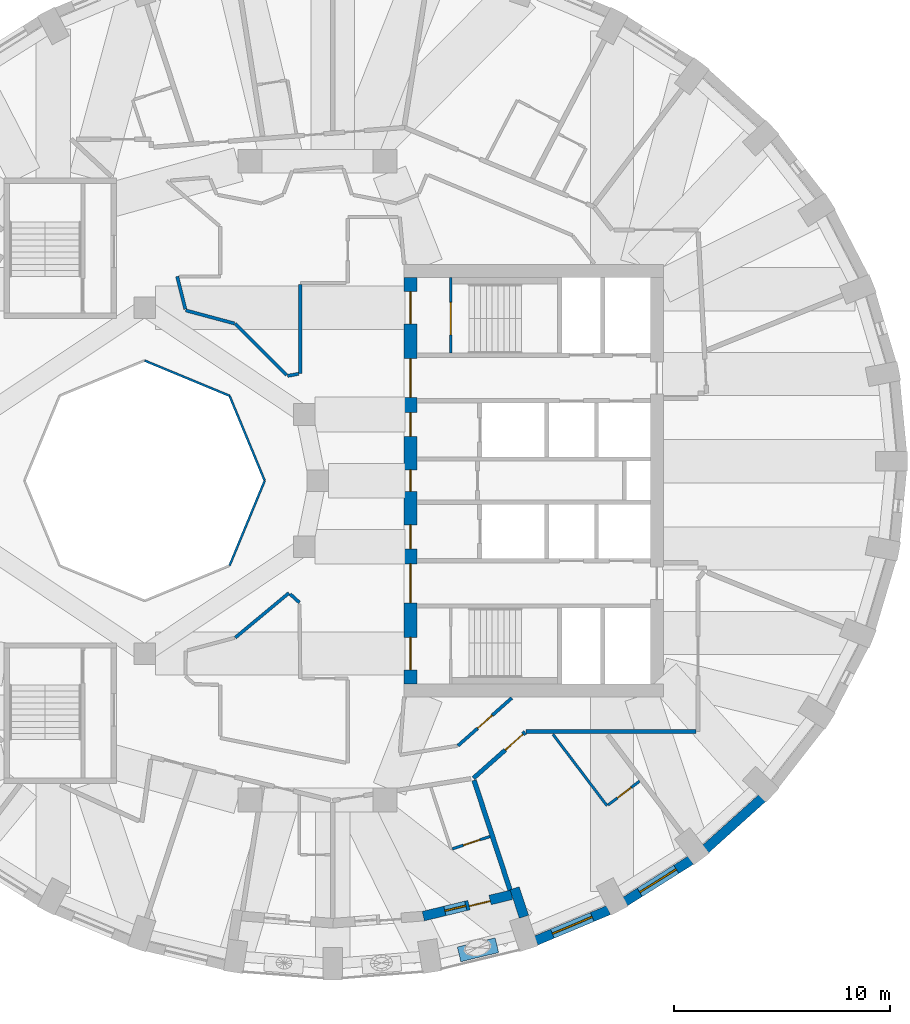
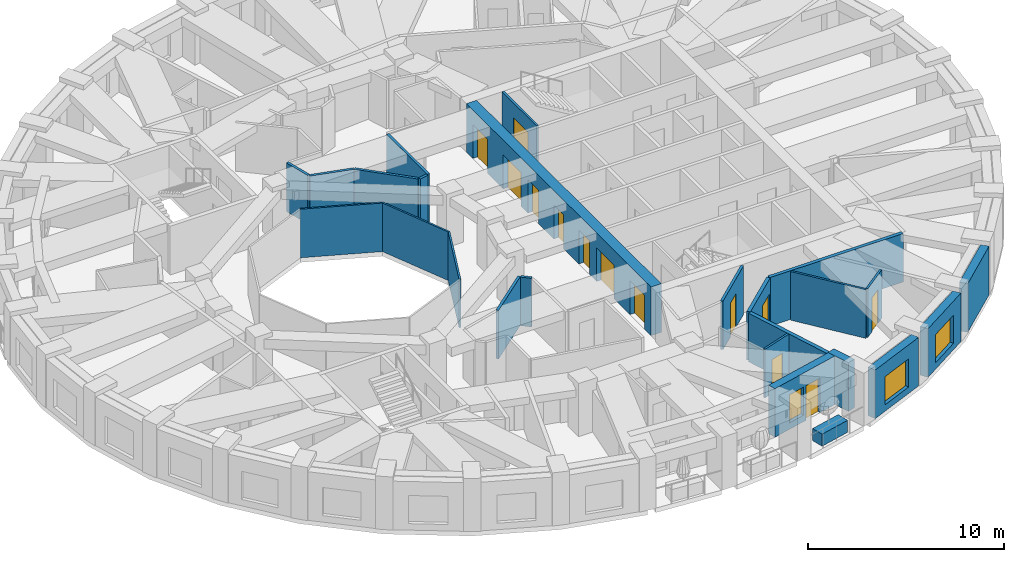
# One storey, part 5 of 12: 25 walls, 13 doors, 3 windows, 16 openings.
"""IFC4 building model written with IfcOpenShell, lengths in metres."""

from ifc_helpers import new_model, si_unit, direction, frame, frame_2d, origin, place, context, subcontext, project, spatial, rectangle, extrude, material, layer, layer_set, constituent, constituent_set, type_object, element, fill, save


model = new_model("IFC4")

# Units and contexts
model_context = context("Model", 3, precision=1e-05, world=origin(), true_north=direction((0.0, 1.0)))
body_context = subcontext(model_context, "Body", "Model", "MODEL_VIEW")
ifc_project = project(units=[si_unit("LENGTHUNIT", "METRE"), si_unit("AREAUNIT", "SQUARE_METRE"), si_unit("VOLUMEUNIT", "CUBIC_METRE"), si_unit("PLANEANGLEUNIT", "RADIAN"), si_unit("MASSUNIT", "GRAM", prefix="KILO")], contexts=[model_context])

# Site, building, storey
site_placement = place(None, origin())
site = spatial("IfcSite", under=ifc_project, at=site_placement, CompositionType="ELEMENT")
building_placement = place(site_placement, origin())
building = spatial("IfcBuilding", under=site, at=building_placement, Name="Taillehof Tower", CompositionType="ELEMENT")
storey_placement = place(building_placement, frame((0.0, 0.0, 199.10009765625)))
storey = spatial("IfcBuildingStorey", under=building, at=storey_placement, Name="L56", CompositionType="ELEMENT", Elevation=199.10009765625)

# Walls
ifc_material_1 = material(Name="Fire-resisting glass in steel frame", Category="steel")
ifc_layer_1 = layer(ifc_material_1, 0.10009765625)
ifc_layer_set_1 = layer_set([ifc_layer_1], Name="Atrium fire-resisting screen EI 60 100")
wall_type_1 = type_object("IfcWallType", Name="Atrium fire-resisting screen EI 60 100", PredefinedType="PARTITIONING", material=ifc_layer_set_1)
for number, where, z_axis, x_axis, name in (
    (1, (-2.44580078125, 0.0, 0.0), (0.0, 0.0, 1.0), (-0.382730523909, -0.923860025149, 0.0), "Atrium screen"),
    (2, (-8.0, 5.55419921875, 0.0), (0.0, 0.0, 1.0), (0.923860025149, -0.382730523909, 0.0), "Atrium screen"),
    (3, (-4.07275390625, 3.92724609375, 0.0), (0.0, 0.0, 1.0), (0.382730523909, -0.923860025149, 0.0), "Atrium screen"),
):
    element("IfcWall", number, at=place(storey_placement, frame(where, z_axis=z_axis, x_axis=x_axis)), inside=storey, type_object=wall_type_1, Name=name, PredefinedType="PARTITIONING", context=body_context, shape_type="SweptSolid", body=[
        extrude(rectangle(XDim=4.2509765625, YDim=0.10009765625, at=frame_2d((2.12548828125, 0.0))), origin(), (0.0, 0.0, 1.0), 3.02001953125),
    ])

# Wall, opening, window
ifc_material_2 = material(Name="Brick masonry", Category="masonry")
ifc_layer_2 = layer(ifc_material_2, 0.449951171875)
ifc_layer_set_2 = layer_set([ifc_layer_2], Name="Brick infill wall 450")
wall_type_2 = type_object("IfcWallType", Name="Brick infill wall 450", PredefinedType="SOLIDWALL", material=ifc_layer_set_2)
wall_1_placement = place(storey_placement, frame((10.1025390625, -21.279052734375, 0.0), z_axis=(0.0, 0.0, 1.0), x_axis=(0.922168222612, 0.386789050006, 0.0)))
wall_1 = element("IfcWall", 4, at=wall_1_placement, inside=storey, type_object=wall_type_2, Name="Brick wall L56 bay 30", PredefinedType="SOLIDWALL", context=body_context, shape_type="SweptSolid", body=[
    extrude(rectangle(XDim=3.65087890625, YDim=0.449951171875, at=frame_2d((1.825439453125, 0.0))), origin(), (0.0, 0.0, 1.0), 3.02001953125),
])
opening_1_placement = place(wall_1_placement, frame((0.825439453125, 0.0, 0.39990234375)))
opening_1 = element("IfcOpeningElement", 5, at=opening_1_placement, cuts=wall_1, Name="Opening W2", PredefinedType="OPENING", context=body_context, shape_type="SweptSolid", body=[
    extrude(rectangle(XDim=2.0, YDim=1.75, at=frame_2d((1.0, 0.875))), frame((0.0, 0.23486328125, 0.0), z_axis=(0.0, -1.0, 0.0), x_axis=(1.0, 0.0, 0.0)), (0.0, 0.0, 1.0), 0.469970703125),
])
ifc_material_3 = material(Name="Aluminium window frame with clear double glazing", Category="aluminium")
window_type_1 = type_object("IfcWindowType", Name="Deep-set window 2000x1750", PartitioningType="SINGLE_PANEL", PredefinedType="WINDOW", material=ifc_material_3)
window_1_placement = place(opening_1_placement, origin())
window_1 = element("IfcWindow", 6, at=window_1_placement, inside=storey, type_object=window_type_1, Name="W2", OverallHeight=1.75, OverallWidth=2.0, PartitioningType="SINGLE_PANEL", PredefinedType="WINDOW", context=body_context, shape_type="SweptSolid", body=[
    extrude(rectangle(XDim=2.0, YDim=1.75, at=frame_2d((1.0, 0.875))), frame((0.0, 0.034912109375, 0.0), z_axis=(0.0, -1.0, 0.0), x_axis=(1.0, 0.0, 0.0)), (0.0, 0.0, 1.0), 0.06005859375),
])
fill(opening_1, window_1)

wall_2_placement = place(storey_placement, frame((14.232421875, -19.469970703125, 0.0), z_axis=(0.0, 0.0, 1.0), x_axis=(0.84614984472, 0.532945063098, 0.0)))
wall_2 = element("IfcWall", 7, at=wall_2_placement, inside=storey, type_object=wall_type_2, Name="Brick wall L56 bay 31", PredefinedType="SOLIDWALL", context=body_context, shape_type="SweptSolid", body=[
    extrude(rectangle(XDim=3.58642578125, YDim=0.449951171875, at=frame_2d((1.793212890625, 0.0))), origin(), (0.0, 0.0, 1.0), 3.02001953125),
])
opening_2_placement = place(wall_2_placement, frame((0.79345703125, 0.0, 0.39990234375)))
opening_2 = element("IfcOpeningElement", 8, at=opening_2_placement, cuts=wall_2, Name="Opening W2", PredefinedType="OPENING", context=body_context, shape_type="SweptSolid", body=[
    extrude(rectangle(XDim=2.0, YDim=1.75, at=frame_2d((1.0, 0.875))), frame((0.0, 0.23486328125, 0.0), z_axis=(0.0, -1.0, 0.0), x_axis=(1.0, 0.0, 0.0)), (0.0, 0.0, 1.0), 0.469970703125),
])
window_2_placement = place(opening_2_placement, origin())
window_2 = element("IfcWindow", 9, at=window_2_placement, inside=storey, type_object=window_type_1, Name="W2", OverallHeight=1.75, OverallWidth=2.0, PartitioningType="SINGLE_PANEL", PredefinedType="WINDOW", context=body_context, shape_type="SweptSolid", body=[
    extrude(rectangle(XDim=2.0, YDim=1.75, at=frame_2d((1.0, 0.875))), frame((0.0, 0.034912109375, 0.0), z_axis=(0.0, -1.0, 0.0), x_axis=(1.0, 0.0, 0.0)), (0.0, 0.0, 1.0), 0.06005859375),
])
fill(opening_2, window_2)

# Walls
wall_3_placement = place(storey_placement, frame((17.953369140625, -17.039794921875, 0.0), z_axis=(0.0, 0.0, 1.0), x_axis=(0.743442727602, 0.668799604348, 0.0)))
element("IfcWall", 10, at=wall_3_placement, inside=storey, type_object=wall_type_2, Name="Brick wall L56 bay 32", PredefinedType="SOLIDWALL", context=body_context, shape_type="SweptSolid", body=[
    extrude(rectangle(XDim=3.5126953125, YDim=0.449951171875, at=frame_2d((1.75634765625, 0.0))), origin(), (0.0, 0.0, 1.0), 3.02001953125),
])
wall_4_placement = place(storey_placement, frame((9.5498046875, -20.1767578125, 0.0), z_axis=(0.0, 0.0, 1.0), x_axis=(-0.31201065878, 0.950078601384, 0.0)))
element("IfcWall", 11, at=wall_4_placement, inside=storey, type_object=wall_type_2, Name="Brick reveal L56 pocket 8", PredefinedType="SOLIDWALL", context=body_context, shape_type="SweptSolid", body=[
    extrude(rectangle(XDim=1.390380859375, YDim=0.449951171875, at=frame_2d((0.6953125, 0.0))), origin(), (0.0, 0.0, 1.0), 3.02001953125),
])

# Wall, openings, door, window
wall_5_placement = place(storey_placement, frame((4.88916015625, -20.146484375, 0.0), z_axis=(0.0, 0.0, 1.0), x_axis=(0.972004107579, 0.234963858602, 0.0)))
wall_5 = element("IfcWall", 12, at=wall_5_placement, inside=storey, type_object=wall_type_2, Name="Brick wall L56 pocket bay 29", PredefinedType="SOLIDWALL", context=body_context, shape_type="SweptSolid", body=[
    extrude(rectangle(XDim=4.20703125, YDim=0.449951171875, at=frame_2d((2.103515625, 0.0))), origin(), (0.0, 0.0, 1.0), 3.02001953125),
])
opening_3_placement = place(wall_5_placement, frame((1.028564453125, 0.0, 0.39990234375)))
opening_3 = element("IfcOpeningElement", 13, at=opening_3_placement, cuts=wall_5, Name="Opening W5", PredefinedType="OPENING", context=body_context, shape_type="SweptSolid", body=[
    extrude(rectangle(XDim=1.0, YDim=1.75, at=frame_2d((0.5, 0.875))), frame((0.0, 0.23486328125, 0.0), z_axis=(0.0, -1.0, 0.0), x_axis=(1.0, 0.0, 0.0)), (0.0, 0.0, 1.0), 0.469970703125),
])
opening_4_placement = place(wall_5_placement, frame((2.1787109375, 0.0, 0.0)))
opening_4 = element("IfcOpeningElement", 14, at=opening_4_placement, cuts=wall_5, Name="Opening D5696", PredefinedType="OPENING", context=body_context, shape_type="SweptSolid", body=[
    extrude(rectangle(XDim=1.0, YDim=2.14990234375, at=frame_2d((0.5, 1.074951171875))), frame((0.0, 0.23486328125, 0.0), z_axis=(0.0, -1.0, 0.0), x_axis=(1.0, 0.0, 0.0)), (0.0, 0.0, 1.0), 0.469970703125),
])
ifc_material_4 = material(Name="Aluminium door frame with clear double glazing", Category="aluminium")
door_type_1 = type_object("IfcDoorType", Name="Balcony door 1000x2150", OperationType="SINGLE_SWING_RIGHT", PredefinedType="DOOR", material=ifc_material_4)
door_1_placement = place(opening_4_placement, frame((1.0, 0.0, 0.0), z_axis=(0.0, 0.0, 1.0), x_axis=(-1.0, 0.0, 0.0)))
door_1 = element("IfcDoor", 15, at=door_1_placement, inside=storey, type_object=door_type_1, Name="Balcony door L56 bay 29", OperationType="SINGLE_SWING_LEFT", OverallHeight=2.14990234375, OverallWidth=1.0, PredefinedType="DOOR", context=body_context, shape_type="SweptSolid", body=[
    extrude(rectangle(XDim=1.0, YDim=2.14990234375, at=frame_2d((0.5, 1.074951171875))), frame((0.0, 0.0751953125, 0.0), z_axis=(0.0, -1.0, 0.0), x_axis=(1.0, 0.0, 0.0)), (0.0, 0.0, 1.0), 0.050048828125),
])
fill(opening_4, door_1)
ifc_material_5 = material(Name="Aluminium window frame with clear double glazing", Category="aluminium")
window_type_2 = type_object("IfcWindowType", Name="Fixed window 1000x1750", PartitioningType="SINGLE_PANEL", PredefinedType="WINDOW", material=ifc_material_5)
window_3_placement = place(opening_3_placement, origin())
window_3 = element("IfcWindow", 16, at=window_3_placement, inside=storey, type_object=window_type_2, Name="W5", OverallHeight=1.75, OverallWidth=1.0, PartitioningType="SINGLE_PANEL", PredefinedType="WINDOW", context=body_context, shape_type="SweptSolid", body=[
    extrude(rectangle(XDim=1.0, YDim=1.75, at=frame_2d((0.5, 0.875))), frame((0.0, 0.034912109375, 0.0), z_axis=(0.0, -1.0, 0.0), x_axis=(1.0, 0.0, 0.0)), (0.0, 0.0, 1.0), 0.06005859375),
])
fill(opening_3, window_3)

# Wall
ifc_material_6 = material(Name="Gypsum board on steel studs, two layers each side", Category="steel")
ifc_layer_3 = layer(ifc_material_6, 0.199951171875)
ifc_layer_set_3 = layer_set([ifc_layer_3], Name="Compartment wall corridor 200")
wall_type_3 = type_object("IfcWallType", Name="Compartment wall corridor 200", PredefinedType="PARTITIONING", material=ifc_layer_set_3)
wall_6_placement = place(storey_placement, frame((17.5, -11.60009765625, 0.0), z_axis=(0.0, 0.0, 1.0), x_axis=(-1.0, 0.0, 0.0)))
element("IfcWall", 17, at=wall_6_placement, inside=storey, type_object=wall_type_3, Name="Compartment wall", PredefinedType="PARTITIONING", context=body_context, shape_type="SweptSolid", body=[
    extrude(rectangle(XDim=7.846923828125, YDim=0.199951171875, at=frame_2d((3.92333984375, 0.0))), origin(), (0.0, 0.0, 1.0), 3.02001953125),
])

# Wall, opening, door
wall_7_placement = place(storey_placement, frame((9.6083984375, -11.6396484375, 0.0), z_axis=(0.0, 0.0, 1.0), x_axis=(-0.748412200225, -0.663233879227, 0.0)))
wall_7 = element("IfcWall", 18, at=wall_7_placement, inside=storey, type_object=wall_type_3, Name="Compartment wall", PredefinedType="PARTITIONING", context=body_context, shape_type="SweptSolid", body=[
    extrude(rectangle(XDim=3.207275390625, YDim=0.199951171875, at=frame_2d((1.603515625, 0.0))), origin(), (0.0, 0.0, 1.0), 3.02001953125),
])
opening_5_placement = place(wall_7_placement, frame((0.139892578125, 0.0, 0.0)))
opening_5 = element("IfcOpeningElement", 19, at=opening_5_placement, cuts=wall_7, Name="Opening D5661", PredefinedType="OPENING", context=body_context, shape_type="SweptSolid", body=[
    extrude(rectangle(XDim=1.10009765625, YDim=2.10009765625, at=frame_2d((0.550048828125, 1.050048828125))), frame((0.0, 0.10986328125, 0.0), z_axis=(0.0, -1.0, 0.0), x_axis=(1.0, 0.0, 0.0)), (0.0, 0.0, 1.0), 0.219970703125),
])
ifc_material_7 = material(Name="Timber door leaf in steel frame", Category="steel")
door_type_2 = type_object("IfcDoorType", Name="Suite entrance door EI 30 1100 x 2100", OperationType="SINGLE_SWING_LEFT", PredefinedType="DOOR", material=ifc_material_7)
door_2_placement = place(opening_5_placement, origin())
door_2 = element("IfcDoor", 20, at=door_2_placement, inside=storey, type_object=door_type_2, Name="D5661", OperationType="SINGLE_SWING_LEFT", OverallHeight=2.10009765625, OverallWidth=1.10009765625, PredefinedType="DOOR", context=body_context, shape_type="SweptSolid", body=[
    extrude(rectangle(XDim=1.10009765625, YDim=2.10009765625, at=frame_2d((0.550048828125, 1.050048828125))), frame((0.0, 0.02490234375, 0.0), z_axis=(0.0, -1.0, 0.0), x_axis=(1.0, 0.0, 0.0)), (0.0, 0.0, 1.0), 0.050048828125),
])
fill(opening_5, door_2)

# Walls
ifc_material_8 = material(Name="Gypsum board on double steel studs with mineral wool", Category="steel")
ifc_layer_4 = layer(ifc_material_8, 0.219970703125)
ifc_layer_set_4 = layer_set([ifc_layer_4], Name="Compartment wall guest room 220")
wall_type_4 = type_object("IfcWallType", Name="Compartment wall guest room 220", PredefinedType="PARTITIONING", material=ifc_layer_set_4)
wall_8_placement = place(storey_placement, frame((8.907958984375, -18.943603515625, 0.0), z_axis=(0.0, 0.0, 1.0), x_axis=(-0.311910788491, 0.950111393481, 0.0)))
element("IfcWall", 21, at=wall_8_placement, inside=storey, type_object=wall_type_4, Name="Compartment wall", PredefinedType="PARTITIONING", context=body_context, shape_type="SweptSolid", body=[
    extrude(rectangle(XDim=5.348388671875, YDim=0.219970703125, at=frame_2d((2.67431640625, 0.0))), origin(), (0.0, 0.0, 1.0), 3.02001953125),
])
ifc_material_9 = material(Name="Gypsum board on steel studs, two layers each side", Category="steel")
ifc_layer_5 = layer(ifc_material_9, 0.14990234375)
ifc_layer_set_5 = layer_set([ifc_layer_5], Name="Compartment wall service room 150")
wall_type_5 = type_object("IfcWallType", Name="Compartment wall service room 150", PredefinedType="PARTITIONING", material=ifc_layer_set_5)
wall_9_placement = place(storey_placement, frame((-0.800048828125, 9.06982421875, 0.0), z_axis=(0.0, 0.0, 1.0), x_axis=(0.0, -1.0, 0.0)))
element("IfcWall", 22, at=wall_9_placement, inside=storey, type_object=wall_type_5, Name="Compartment wall", PredefinedType="PARTITIONING", context=body_context, shape_type="SweptSolid", body=[
    extrude(rectangle(XDim=4.1083984375, YDim=0.14990234375, at=frame_2d((2.05419921875, 0.0))), origin(), (0.0, 0.0, 1.0), 3.02001953125),
])
wall_10_placement = place(storey_placement, frame((-0.878173828125, 4.94580078125, 0.0), z_axis=(0.0, 0.0, 1.0), x_axis=(-0.981223514921, -0.192874087857, 0.0)))
element("IfcWall", 23, at=wall_10_placement, inside=storey, type_object=wall_type_5, Name="Compartment wall", PredefinedType="PARTITIONING", context=body_context, shape_type="SweptSolid", body=[
    extrude(rectangle(XDim=0.521484375, YDim=0.14990234375, at=frame_2d((0.2607421875, 0.0))), origin(), (0.0, 0.0, 1.0), 3.02001953125),
])
wall_11_placement = place(storey_placement, frame((-1.432373046875, 4.8876953125, 0.0), z_axis=(0.0, 0.0, 1.0), x_axis=(-0.70714312975, 0.707070430754, 0.0)))
element("IfcWall", 24, at=wall_11_placement, inside=storey, type_object=wall_type_5, Name="Compartment wall", PredefinedType="PARTITIONING", context=body_context, shape_type="SweptSolid", body=[
    extrude(rectangle(XDim=3.358154296875, YDim=0.14990234375, at=frame_2d((1.67919921875, 0.0))), origin(), (0.0, 0.0, 1.0), 3.02001953125),
])
wall_12_placement = place(storey_placement, frame((-3.845703125, 7.2724609375, 0.0), z_axis=(0.0, 0.0, 1.0), x_axis=(-0.965906023197, 0.258892939941, 0.0)))
element("IfcWall", 25, at=wall_12_placement, inside=storey, type_object=wall_type_5, Name="Compartment wall", PredefinedType="PARTITIONING", context=body_context, shape_type="SweptSolid", body=[
    extrude(rectangle(XDim=2.333984375, YDim=0.14990234375, at=frame_2d((1.1669921875, 0.0))), origin(), (0.0, 0.0, 1.0), 3.02001953125),
])
wall_13_placement = place(storey_placement, frame((-6.11474609375, 7.9345703125, 0.0), z_axis=(0.0, 0.0, 1.0), x_axis=(-0.242425292239, 0.970170076679, 0.0)))
element("IfcWall", 26, at=wall_13_placement, inside=storey, type_object=wall_type_5, Name="Compartment wall", PredefinedType="PARTITIONING", context=body_context, shape_type="SweptSolid", body=[
    extrude(rectangle(XDim=1.56201171875, YDim=0.14990234375, at=frame_2d((0.781005859375, 0.0))), origin(), (0.0, 0.0, 1.0), 3.02001953125),
])
wall_14_placement = place(storey_placement, frame((-3.80712890625, -7.26220703125, 0.0), z_axis=(0.0, 0.0, 1.0), x_axis=(0.768654933145, 0.639663656739, 0.0)))
element("IfcWall", 27, at=wall_14_placement, inside=storey, type_object=wall_type_5, Name="Compartment wall", PredefinedType="PARTITIONING", context=body_context, shape_type="SweptSolid", body=[
    extrude(rectangle(XDim=3.22900390625, YDim=0.14990234375, at=frame_2d((1.614501953125, 0.0))), origin(), (0.0, 0.0, 1.0), 3.02001953125),
])
wall_15_placement = place(storey_placement, frame((-1.265625, -5.25048828125, 0.0), z_axis=(0.0, 0.0, 1.0), x_axis=(0.740704364941, -0.671831112525, 0.0)))
element("IfcWall", 28, at=wall_15_placement, inside=storey, type_object=wall_type_5, Name="Compartment wall", PredefinedType="PARTITIONING", context=body_context, shape_type="SweptSolid", body=[
    extrude(rectangle(XDim=0.577880859375, YDim=0.14990234375, at=frame_2d((0.2890625, 0.0))), origin(), (0.0, 0.0, 1.0), 3.02001953125),
])

# Wall, opening, door
wall_16_placement = place(storey_placement, frame((8.98681640625, -10.052490234375, 0.0), z_axis=(0.0, 0.0, 1.0), x_axis=(-0.74833949077, -0.66331591761, 0.0)))
wall_16 = element("IfcWall", 29, at=wall_16_placement, inside=storey, type_object=wall_type_5, Name="Compartment wall", PredefinedType="PARTITIONING", context=body_context, shape_type="SweptSolid", body=[
    extrude(rectangle(XDim=3.328125, YDim=0.14990234375, at=frame_2d((1.6640625, 0.0))), origin(), (0.0, 0.0, 1.0), 3.02001953125),
])
opening_6_placement = place(wall_16_placement, frame((1.214111328125, 0.0, 0.0)))
opening_6 = element("IfcOpeningElement", 30, at=opening_6_placement, cuts=wall_16, Name="Opening D5668", PredefinedType="OPENING", context=body_context, shape_type="SweptSolid", body=[
    extrude(rectangle(XDim=0.89990234375, YDim=2.10009765625, at=frame_2d((0.449951171875, 1.050048828125))), frame((0.0, 0.0849609375, 0.0), z_axis=(0.0, -1.0, 0.0), x_axis=(1.0, 0.0, 0.0)), (0.0, 0.0, 1.0), 0.169921875),
])
ifc_material_10 = material(Name="Timber door leaf in steel frame", Category="steel")
door_type_3 = type_object("IfcDoorType", Name="Service room door EI 30 900 x 2100", OperationType="SINGLE_SWING_LEFT", PredefinedType="DOOR", material=ifc_material_10)
door_3_placement = place(opening_6_placement, origin())
door_3 = element("IfcDoor", 31, at=door_3_placement, inside=storey, type_object=door_type_3, Name="D5668", OperationType="SINGLE_SWING_LEFT", OverallHeight=2.10009765625, OverallWidth=0.89990234375, PredefinedType="DOOR", context=body_context, shape_type="SweptSolid", body=[
    extrude(rectangle(XDim=0.89990234375, YDim=2.10009765625, at=frame_2d((0.449951171875, 1.050048828125))), frame((0.0, 0.02490234375, 0.0), z_axis=(0.0, -1.0, 0.0), x_axis=(1.0, 0.0, 0.0)), (0.0, 0.0, 1.0), 0.050048828125),
])
fill(opening_6, door_3)

# Wall, openings, doors
ifc_material_11 = material(Name="Concrete C80/95", Category="concrete")
ifc_layer_6 = layer(ifc_material_11, 0.60009765625)
ifc_layer_set_6 = layer_set([ifc_layer_6], Name="Core wall C80/95 600")
wall_type_6 = type_object("IfcWallType", Name="Core wall C80/95 600", PredefinedType="SHEAR", material=ifc_layer_set_6)
wall_17_placement = place(storey_placement, frame((4.300048828125, -9.39990234375, 0.0), z_axis=(0.0, 0.0, 1.0), x_axis=(0.0, 1.0, 0.0)))
wall_17 = element("IfcWall", 32, at=wall_17_placement, inside=storey, type_object=wall_type_6, Name="Core wall CW01", PredefinedType="SHEAR", context=body_context, shape_type="SweptSolid", body=[
    extrude(rectangle(XDim=18.7998046875, YDim=0.60009765625, at=frame_2d((9.39990234375, 0.0))), origin(), (0.0, 0.0, 1.0), 3.02001953125),
])
opening_7_placement = place(wall_17_placement, frame((0.64990234375, 0.0, 0.0)))
opening_7 = element("IfcOpeningElement", 33, at=opening_7_placement, cuts=wall_17, Name="Opening D5601", PredefinedType="OPENING", context=body_context, shape_type="SweptSolid", body=[
    extrude(rectangle(XDim=1.5, YDim=2.10009765625, at=frame_2d((0.75, 1.050048828125))), frame((0.0, 0.31005859375, 0.0), z_axis=(0.0, -1.0, 0.0), x_axis=(1.0, 0.0, 0.0)), (0.0, 0.0, 1.0), 0.6201171875),
])
opening_8_placement = place(wall_17_placement, frame((3.75, 0.0, 0.0)))
opening_8 = element("IfcOpeningElement", 34, at=opening_8_placement, cuts=wall_17, Name="Opening D5602", PredefinedType="OPENING", context=body_context, shape_type="SweptSolid", body=[
    extrude(rectangle(XDim=1.800048828125, YDim=2.10009765625, at=frame_2d((0.89990234375, 1.050048828125))), frame((0.0, 0.31005859375, 0.0), z_axis=(0.0, -1.0, 0.0), x_axis=(1.0, 0.0, 0.0)), (0.0, 0.0, 1.0), 0.6201171875),
])
opening_9_placement = place(wall_17_placement, frame((6.25, 0.0, 0.0)))
opening_9 = element("IfcOpeningElement", 35, at=opening_9_placement, cuts=wall_17, Name="Opening D5603", PredefinedType="OPENING", context=body_context, shape_type="SweptSolid", body=[
    extrude(rectangle(XDim=1.10009765625, YDim=2.10009765625, at=frame_2d((0.550048828125, 1.050048828125))), frame((0.0, 0.31005859375, 0.0), z_axis=(0.0, -1.0, 0.0), x_axis=(1.0, 0.0, 0.0)), (0.0, 0.0, 1.0), 0.6201171875),
])
opening_10_placement = place(wall_17_placement, frame((8.89990234375, 0.0, 0.0)))
opening_10 = element("IfcOpeningElement", 36, at=opening_10_placement, cuts=wall_17, Name="Opening D5604", PredefinedType="OPENING", context=body_context, shape_type="SweptSolid", body=[
    extrude(rectangle(XDim=1.0, YDim=2.10009765625, at=frame_2d((0.5, 1.050048828125))), frame((0.0, 0.31005859375, 0.0), z_axis=(0.0, -1.0, 0.0), x_axis=(1.0, 0.0, 0.0)), (0.0, 0.0, 1.0), 0.6201171875),
])
opening_11_placement = place(wall_17_placement, frame((11.449951171875, 0.0, 0.0)))
opening_11 = element("IfcOpeningElement", 37, at=opening_11_placement, cuts=wall_17, Name="Opening D5605", PredefinedType="OPENING", context=body_context, shape_type="SweptSolid", body=[
    extrude(rectangle(XDim=1.10009765625, YDim=2.10009765625, at=frame_2d((0.550048828125, 1.050048828125))), frame((0.0, 0.31005859375, 0.0), z_axis=(0.0, -1.0, 0.0), x_axis=(1.0, 0.0, 0.0)), (0.0, 0.0, 1.0), 0.6201171875),
])
opening_12_placement = place(wall_17_placement, frame((13.25, 0.0, 0.0)))
opening_12 = element("IfcOpeningElement", 38, at=opening_12_placement, cuts=wall_17, Name="Opening D5606", PredefinedType="OPENING", context=body_context, shape_type="SweptSolid", body=[
    extrude(rectangle(XDim=1.800048828125, YDim=2.10009765625, at=frame_2d((0.89990234375, 1.050048828125))), frame((0.0, 0.31005859375, 0.0), z_axis=(0.0, -1.0, 0.0), x_axis=(1.0, 0.0, 0.0)), (0.0, 0.0, 1.0), 0.6201171875),
])
opening_13_placement = place(wall_17_placement, frame((16.64990234375, 0.0, 0.0)))
opening_13 = element("IfcOpeningElement", 39, at=opening_13_placement, cuts=wall_17, Name="Opening D5607", PredefinedType="OPENING", context=body_context, shape_type="SweptSolid", body=[
    extrude(rectangle(XDim=1.5, YDim=2.10009765625, at=frame_2d((0.75, 1.050048828125))), frame((0.0, 0.31005859375, 0.0), z_axis=(0.0, -1.0, 0.0), x_axis=(1.0, 0.0, 0.0)), (0.0, 0.0, 1.0), 0.6201171875),
])
ifc_material_12 = material(Name="Steel-faced fire door", Category="steel")
door_type_4 = type_object("IfcDoorType", Name="Firefighting lobby door 1100x2100", OperationType="SINGLE_SWING_RIGHT", PredefinedType="DOOR", material=ifc_material_12)
door_4_placement = place(opening_9_placement, origin())
door_4 = element("IfcDoor", 40, at=door_4_placement, inside=storey, type_object=door_type_4, Name="Firefighting lobby door FFL-S", OperationType="SINGLE_SWING_RIGHT", OverallHeight=2.10009765625, OverallWidth=1.10009765625, PredefinedType="DOOR", context=body_context, shape_type="SweptSolid", body=[
    extrude(rectangle(XDim=1.10009765625, YDim=2.10009765625, at=frame_2d((0.550048828125, 1.050048828125))), frame((0.0, 0.02490234375, 0.0), z_axis=(0.0, -1.0, 0.0), x_axis=(1.0, 0.0, 0.0)), (0.0, 0.0, 1.0), 0.050048828125),
])
fill(opening_9, door_4)
door_5_placement = place(opening_11_placement, origin())
door_5 = element("IfcDoor", 41, at=door_5_placement, inside=storey, type_object=door_type_4, Name="Firefighting lobby door FFL-N", OperationType="SINGLE_SWING_LEFT", OverallHeight=2.10009765625, OverallWidth=1.10009765625, PredefinedType="DOOR", context=body_context, shape_type="SweptSolid", body=[
    extrude(rectangle(XDim=1.10009765625, YDim=2.10009765625, at=frame_2d((0.550048828125, 1.050048828125))), frame((0.0, 0.02490234375, 0.0), z_axis=(0.0, -1.0, 0.0), x_axis=(1.0, 0.0, 0.0)), (0.0, 0.0, 1.0), 0.050048828125),
])
fill(opening_11, door_5)
ifc_material_13 = material(Name="Steel-faced fire door", Category="steel")
door_type_5 = type_object("IfcDoorType", Name="Lift lobby door 1800x2100", OperationType="DOUBLE_DOOR_SINGLE_SWING", PredefinedType="DOOR", material=ifc_material_13)
door_6_placement = place(opening_8_placement, origin())
door_6 = element("IfcDoor", 42, at=door_6_placement, inside=storey, type_object=door_type_5, Name="Lift lobby door LL-S", OperationType="DOUBLE_DOOR_SINGLE_SWING", OverallHeight=2.10009765625, OverallWidth=1.800048828125, PredefinedType="DOOR", context=body_context, shape_type="SweptSolid", body=[
    extrude(rectangle(XDim=1.800048828125, YDim=2.10009765625, at=frame_2d((0.89990234375, 1.050048828125))), frame((0.0, 0.02490234375, 0.0), z_axis=(0.0, -1.0, 0.0), x_axis=(1.0, 0.0, 0.0)), (0.0, 0.0, 1.0), 0.050048828125),
])
fill(opening_8, door_6)
door_7_placement = place(opening_12_placement, origin())
door_7 = element("IfcDoor", 43, at=door_7_placement, inside=storey, type_object=door_type_5, Name="Lift lobby door LL-N", OperationType="DOUBLE_DOOR_SINGLE_SWING", OverallHeight=2.10009765625, OverallWidth=1.800048828125, PredefinedType="DOOR", context=body_context, shape_type="SweptSolid", body=[
    extrude(rectangle(XDim=1.800048828125, YDim=2.10009765625, at=frame_2d((0.89990234375, 1.050048828125))), frame((0.0, 0.02490234375, 0.0), z_axis=(0.0, -1.0, 0.0), x_axis=(1.0, 0.0, 0.0)), (0.0, 0.0, 1.0), 0.050048828125),
])
fill(opening_12, door_7)
ifc_material_14 = material(Name="Steel-faced fire door", Category="steel")
door_type_6 = type_object("IfcDoorType", Name="Service door 1000x2100", OperationType="SINGLE_SWING_RIGHT", PredefinedType="DOOR", material=ifc_material_14)
door_8_placement = place(opening_10_placement, origin())
door_8 = element("IfcDoor", 44, at=door_8_placement, inside=storey, type_object=door_type_6, Name="Service door SV", OperationType="SINGLE_SWING_LEFT", OverallHeight=2.10009765625, OverallWidth=1.0, PredefinedType="DOOR", context=body_context, shape_type="SweptSolid", body=[
    extrude(rectangle(XDim=1.0, YDim=2.10009765625, at=frame_2d((0.5, 1.050048828125))), frame((0.0, 0.02490234375, 0.0), z_axis=(0.0, -1.0, 0.0), x_axis=(1.0, 0.0, 0.0)), (0.0, 0.0, 1.0), 0.050048828125),
])
fill(opening_10, door_8)
ifc_material_15 = material(Name="Steel-faced fire door", Category="steel")
door_type_7 = type_object("IfcDoorType", Name="Stair door 1500x2100", OperationType="DOUBLE_DOOR_SINGLE_SWING", PredefinedType="DOOR", material=ifc_material_15)
door_9_placement = place(opening_7_placement, origin())
door_9 = element("IfcDoor", 45, at=door_9_placement, inside=storey, type_object=door_type_7, Name="Stair door S2", OperationType="DOUBLE_DOOR_SINGLE_SWING", OverallHeight=2.10009765625, OverallWidth=1.5, PredefinedType="DOOR", context=body_context, shape_type="SweptSolid", body=[
    extrude(rectangle(XDim=1.5, YDim=2.10009765625, at=frame_2d((0.75, 1.050048828125))), frame((0.0, 0.02490234375, 0.0), z_axis=(0.0, -1.0, 0.0), x_axis=(1.0, 0.0, 0.0)), (0.0, 0.0, 1.0), 0.050048828125),
])
fill(opening_7, door_9)
door_10_placement = place(opening_13_placement, origin())
door_10 = element("IfcDoor", 46, at=door_10_placement, inside=storey, type_object=door_type_7, Name="Stair door S1", OperationType="DOUBLE_DOOR_SINGLE_SWING", OverallHeight=2.10009765625, OverallWidth=1.5, PredefinedType="DOOR", context=body_context, shape_type="SweptSolid", body=[
    extrude(rectangle(XDim=1.5, YDim=2.10009765625, at=frame_2d((0.75, 1.050048828125))), frame((0.0, 0.02490234375, 0.0), z_axis=(0.0, -1.0, 0.0), x_axis=(1.0, 0.0, 0.0)), (0.0, 0.0, 1.0), 0.050048828125),
])
fill(opening_13, door_10)

# Wall
ifc_material_16 = material(Name="Gypsum board on steel studs, moisture resistant", Category="steel")
ifc_layer_7 = layer(ifc_material_16, 0.1201171875)
ifc_layer_set_7 = layer_set([ifc_layer_7], Name="En-suite wall 120")
wall_type_7 = type_object("IfcWallType", Name="En-suite wall 120", PredefinedType="PARTITIONING", material=ifc_layer_set_7)
wall_18_placement = place(storey_placement, frame((10.88671875, -11.73193359375, 0.0), z_axis=(0.0, 0.0, 1.0), x_axis=(0.603646932038, -0.797251767913, 0.0)))
element("IfcWall", 47, at=wall_18_placement, inside=storey, type_object=wall_type_7, Name="En-suite wall", PredefinedType="PARTITIONING", context=body_context, shape_type="SweptSolid", body=[
    extrude(rectangle(XDim=4.148681640625, YDim=0.1201171875, at=frame_2d((2.07421875, 0.0))), origin(), (0.0, 0.0, 1.0), 3.02001953125),
])

# Wall, opening, door
wall_19_placement = place(storey_placement, frame((6.23876953125, -17.0322265625, 0.0), z_axis=(0.0, 0.0, 1.0), x_axis=(0.950127811882, 0.311860771962, 0.0)))
wall_19 = element("IfcWall", 48, at=wall_19_placement, inside=storey, type_object=wall_type_7, Name="En-suite wall", PredefinedType="PARTITIONING", context=body_context, shape_type="SweptSolid", body=[
    extrude(rectangle(XDim=1.82958984375, YDim=0.1201171875, at=frame_2d((0.914794921875, 0.0))), origin(), (0.0, 0.0, 1.0), 3.02001953125),
])
opening_14_placement = place(wall_19_placement, frame((0.539794921875, 0.0, 0.0)))
opening_14 = element("IfcOpeningElement", 49, at=opening_14_placement, cuts=wall_19, Name="Opening D5660", PredefinedType="OPENING", context=body_context, shape_type="SweptSolid", body=[
    extrude(rectangle(XDim=0.800048828125, YDim=2.10009765625, at=frame_2d((0.39990234375, 1.050048828125))), frame((0.0, 0.070068359375, 0.0), z_axis=(0.0, -1.0, 0.0), x_axis=(1.0, 0.0, 0.0)), (0.0, 0.0, 1.0), 0.14013671875),
])
ifc_material_17 = material(Name="Timber door leaf in steel frame", Category="steel")
door_type_8 = type_object("IfcDoorType", Name="En-suite door 800 x 2100", OperationType="SINGLE_SWING_LEFT", PredefinedType="DOOR", material=ifc_material_17)
door_11_placement = place(opening_14_placement, origin())
door_11 = element("IfcDoor", 50, at=door_11_placement, inside=storey, type_object=door_type_8, Name="D5660", OperationType="SINGLE_SWING_RIGHT", OverallHeight=2.10009765625, OverallWidth=0.800048828125, PredefinedType="DOOR", context=body_context, shape_type="SweptSolid", body=[
    extrude(rectangle(XDim=0.800048828125, YDim=2.10009765625, at=frame_2d((0.39990234375, 1.050048828125))), frame((0.0, 0.02490234375, 0.0), z_axis=(0.0, -1.0, 0.0), x_axis=(1.0, 0.0, 0.0)), (0.0, 0.0, 1.0), 0.050048828125),
])
fill(opening_14, door_11)

wall_20_placement = place(storey_placement, frame((13.43896484375, -15.00341796875, 0.0), z_axis=(0.0, 0.0, 1.0), x_axis=(0.797238062708, 0.603665032422, 0.0)))
wall_20 = element("IfcWall", 51, at=wall_20_placement, inside=storey, type_object=wall_type_7, Name="En-suite wall", PredefinedType="PARTITIONING", context=body_context, shape_type="SweptSolid", body=[
    extrude(rectangle(XDim=1.830078125, YDim=0.1201171875, at=frame_2d((0.9150390625, 0.0))), origin(), (0.0, 0.0, 1.0), 3.02001953125),
])
opening_15_placement = place(wall_20_placement, frame((0.5400390625, 0.0, 0.0)))
opening_15 = element("IfcOpeningElement", 52, at=opening_15_placement, cuts=wall_20, Name="Opening D5662", PredefinedType="OPENING", context=body_context, shape_type="SweptSolid", body=[
    extrude(rectangle(XDim=0.800048828125, YDim=2.10009765625, at=frame_2d((0.39990234375, 1.050048828125))), frame((0.0, 0.070068359375, 0.0), z_axis=(0.0, -1.0, 0.0), x_axis=(1.0, 0.0, 0.0)), (0.0, 0.0, 1.0), 0.14013671875),
])
door_12_placement = place(opening_15_placement, origin())
door_12 = element("IfcDoor", 53, at=door_12_placement, inside=storey, type_object=door_type_8, Name="D5662", OperationType="SINGLE_SWING_RIGHT", OverallHeight=2.10009765625, OverallWidth=0.800048828125, PredefinedType="DOOR", context=body_context, shape_type="SweptSolid", body=[
    extrude(rectangle(XDim=0.800048828125, YDim=2.10009765625, at=frame_2d((0.39990234375, 1.050048828125))), frame((0.0, 0.02490234375, 0.0), z_axis=(0.0, -1.0, 0.0), x_axis=(1.0, 0.0, 0.0)), (0.0, 0.0, 1.0), 0.050048828125),
])
fill(opening_15, door_12)

# Wall
ifc_material_18 = material(Name="Concrete C30/37 precast", Category="concrete")
ifc_constituent_1 = constituent(ifc_material_18, Name="Structure", Category="concrete")
ifc_material_19 = material(Name="Insulated lining")
ifc_constituent_2 = constituent(ifc_material_19, Name="Lining")
ifc_constituent_set = constituent_set(constituents=[ifc_constituent_1, ifc_constituent_2], Name="Planter trough 700x750")
wall_type_8 = type_object("IfcWallType", Name="Planter trough 700x750", PredefinedType="USERDEFINED", material=ifc_constituent_set)
wall_21_placement = place(storey_placement, frame((6.54638671875, -21.9140625, 0.0), z_axis=(0.0, 0.0, 1.0), x_axis=(0.97215043642, 0.234357694494, 0.0)))
element("IfcWall", 54, at=wall_21_placement, inside=storey, type_object=wall_type_8, Name="Planter L56 bay 29", ObjectType="PLANTER", PredefinedType="USERDEFINED", context=body_context, shape_type="SweptSolid", body=[
    extrude(rectangle(XDim=1.800048828125, YDim=0.699951171875, at=frame_2d((0.89990234375, 0.0))), origin(), (0.0, 0.0, 1.0), 0.75),
])

# Wall, opening, door
ifc_material_20 = material(Name="Concrete C50/60", Category="concrete")
ifc_layer_8 = layer(ifc_material_20, 0.1201171875)
ifc_layer_set_8 = layer_set([ifc_layer_8], Name="Stair lobby wall C50/60 120")
wall_type_9 = type_object("IfcWallType", Name="Stair lobby wall C50/60 120", PredefinedType="SHEAR", material=ifc_layer_set_8)
wall_22_placement = place(storey_placement, frame((6.159912109375, 5.89990234375, 0.0), z_axis=(0.0, 0.0, 1.0), x_axis=(0.0, 1.0, 0.0)))
wall_22 = element("IfcWall", 55, at=wall_22_placement, inside=storey, type_object=wall_type_9, Name="Compartment wall SW", PredefinedType="SHEAR", context=body_context, shape_type="SweptSolid", body=[
    extrude(rectangle(XDim=3.5, YDim=0.1201171875, at=frame_2d((1.75, 0.0))), origin(), (0.0, 0.0, 1.0), 3.02001953125),
])
opening_16_placement = place(wall_22_placement, frame((0.85009765625, 0.0, 0.0)))
opening_16 = element("IfcOpeningElement", 56, at=opening_16_placement, cuts=wall_22, Name="Opening D5610", PredefinedType="OPENING", context=body_context, shape_type="SweptSolid", body=[
    extrude(rectangle(XDim=1.5, YDim=2.10009765625, at=frame_2d((0.75, 1.050048828125))), frame((0.0, 0.070068359375, 0.0), z_axis=(0.0, -1.0, 0.0), x_axis=(1.0, 0.0, 0.0)), (0.0, 0.0, 1.0), 0.14013671875),
])
door_13_placement = place(opening_16_placement, origin())
door_13 = element("IfcDoor", 57, at=door_13_placement, inside=storey, type_object=door_type_7, Name="Stair lobby door S1", OperationType="DOUBLE_DOOR_SINGLE_SWING", OverallHeight=2.10009765625, OverallWidth=1.5, PredefinedType="DOOR", context=body_context, shape_type="SweptSolid", body=[
    extrude(rectangle(XDim=1.5, YDim=2.10009765625, at=frame_2d((0.75, 1.050048828125))), frame((0.0, 0.02490234375, 0.0), z_axis=(0.0, -1.0, 0.0), x_axis=(1.0, 0.0, 0.0)), (0.0, 0.0, 1.0), 0.050048828125),
])
fill(opening_16, door_13)

save(model, "model.ifc")
